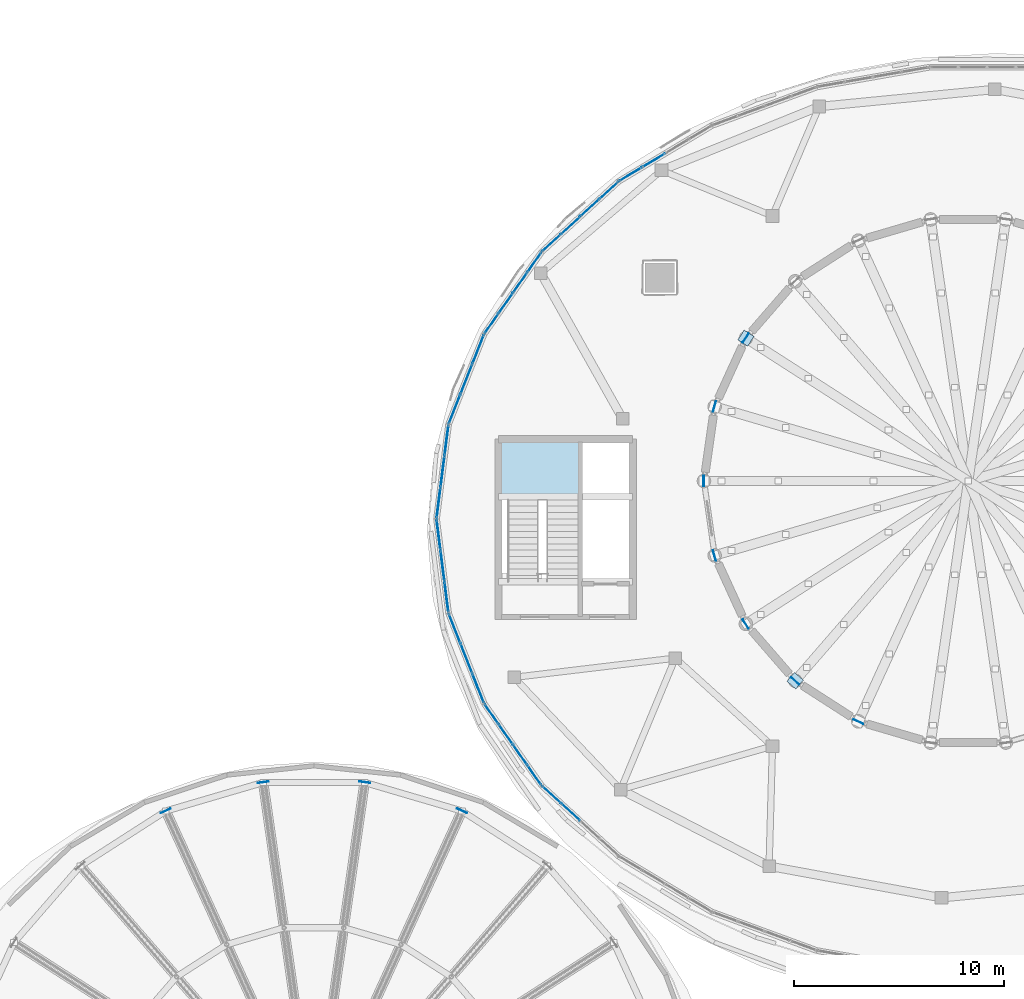
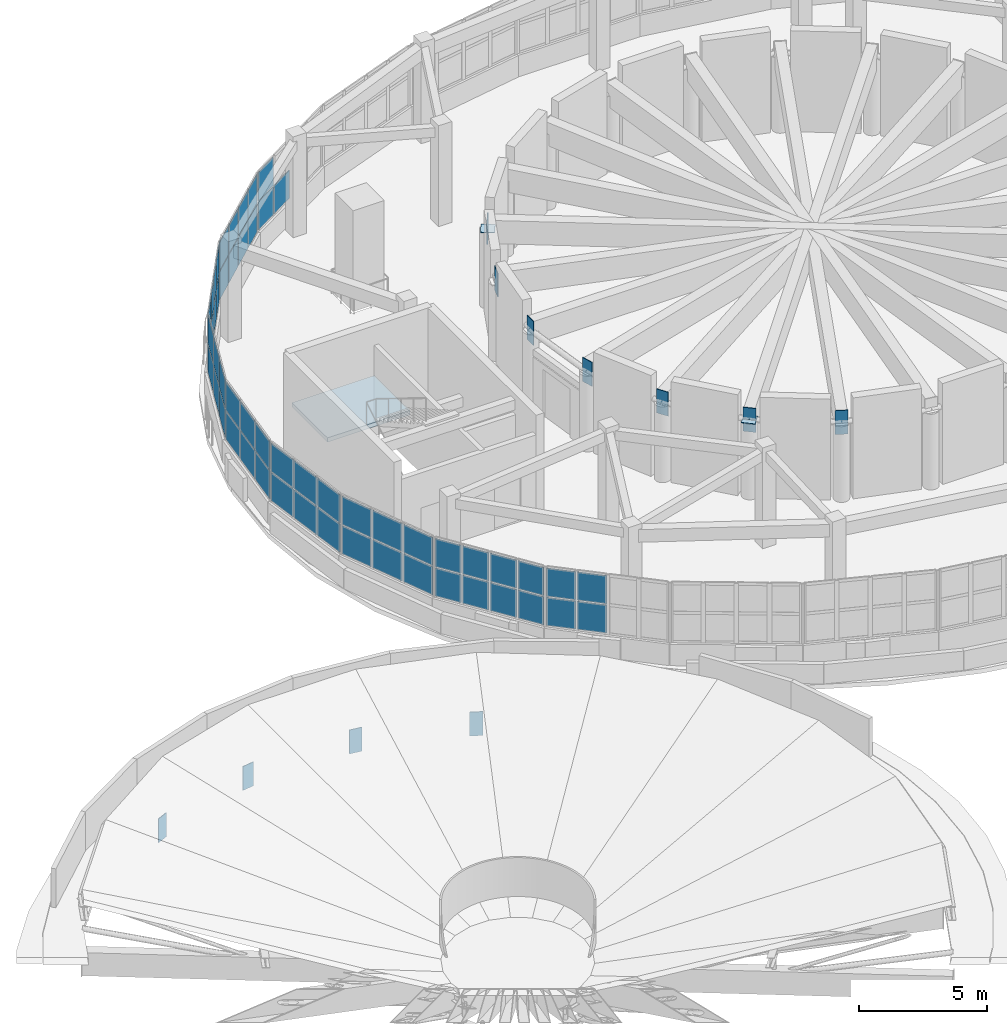
# One storey, part 45 of 69: 68 plates, 1 slab, 10 elements without a shape of their own.
"""IFC4 building model written with IfcOpenShell, lengths in metres."""

from ifc_helpers import new_model, si_unit, direction, frame, origin, origin_2d, place, context, subcontext, project, spatial, polyline, rectangle, outline, extrude, material, layer, layer_set, type_object, element, aggregate, save


model = new_model("IFC4")

# Units and contexts
model_context = context("Model", 3, precision=1e-05, world=origin(), true_north=direction((0.0, 1.0)))
body_context = subcontext(model_context, "Body", "Model", "MODEL_VIEW")
ifc_project = project(units=[si_unit("LENGTHUNIT", "METRE"), si_unit("AREAUNIT", "SQUARE_METRE"), si_unit("VOLUMEUNIT", "CUBIC_METRE"), si_unit("PLANEANGLEUNIT", "RADIAN"), si_unit("MASSUNIT", "GRAM", prefix="KILO")], contexts=[model_context])

# Site, building, storey
site_placement = place(None, origin())
site = spatial("IfcSite", under=ifc_project, at=site_placement, CompositionType="ELEMENT")
building_placement = place(site_placement, origin())
building = spatial("IfcBuilding", under=site, at=building_placement, Name="Pelvatis Terrace Science Centre", CompositionType="ELEMENT")
storey_placement = place(building_placement, frame((0.0, 0.0, 15.0)))
storey = spatial("IfcBuildingStorey", under=building, at=storey_placement, Name="L03", CompositionType="ELEMENT", Elevation=15.0)

# Curtain wall, plates
ifc_material_1 = material(Name="Bronze-anodised aluminium and laminated glass", Category="aluminium")
ifc_layer_1 = layer(ifc_material_1, 0.179931640625)
ifc_layer_set_1 = layer_set([ifc_layer_1], Name="Bronze-anodised aluminium and laminated glass")
curtain_wall_type = type_object("IfcCurtainWallType", Name="CW-RIBBON-A", PredefinedType="NOTDEFINED", material=ifc_layer_set_1)
curtain_wall_1_placement = place(storey_placement, origin())
curtain_wall_1 = element("IfcCurtainWall", 1, at=curtain_wall_1_placement, inside=storey, type_object=curtain_wall_type, Name="Ribbon curtain wall CW-193 (L03)", PredefinedType="NOTDEFINED")
ifc_material_2 = material(Name="Low-e laminated solar-control double glazing", Category="glass")
ifc_layer_2 = layer(ifc_material_2, 0.035888671875)
ifc_layer_set_2 = layer_set([ifc_layer_2], Name="Low-e laminated solar-control double glazing")
plate_type_1 = type_object("IfcPlateType", Name="CWP-IGU-36", PredefinedType="CURTAIN_PANEL", material=ifc_layer_set_2)
plate_1_placement = place(storey_placement, frame((94.2001953125, 101.086669921875, 1.080078125), z_axis=(0.0, 0.0, 1.0), x_axis=(-0.857792823096, -0.51399559594, 0.0)))
plate_1 = element("IfcPlate", 2, at=plate_1_placement, type_object=plate_type_1, Name="CW-193 panel 3.1", PredefinedType="CURTAIN_PANEL", context=body_context, shape_type="SweptSolid", body=[
    extrude(rectangle(XDim=1.23388671875, YDim=0.035888671875, at=origin_2d()), origin(), (0.0, 0.0, 1.0), 1.3349609375),
])
plate_2_placement = place(storey_placement, frame((93.10302734375, 100.429443359375, 1.080078125), z_axis=(0.0, 0.0, 1.0), x_axis=(-0.857792823096, -0.51399559594, 0.0)))
plate_2 = element("IfcPlate", 3, at=plate_2_placement, type_object=plate_type_1, Name="CW-193 panel 4.1", PredefinedType="CURTAIN_PANEL", context=body_context, shape_type="SweptSolid", body=[
    extrude(rectangle(XDim=1.203857421875, YDim=0.035888671875, at=origin_2d()), origin(), (0.0, 0.0, 1.0), 1.3349609375),
])
plate_3_placement = place(storey_placement, frame((93.10302734375, 100.429443359375, 2.47509765625), z_axis=(0.0, 0.0, 1.0), x_axis=(-0.857792823096, -0.51399559594, 0.0)))
plate_3 = element("IfcPlate", 4, at=plate_3_placement, type_object=plate_type_1, Name="CW-193 panel 4.2", PredefinedType="CURTAIN_PANEL", context=body_context, shape_type="SweptSolid", body=[
    extrude(rectangle(XDim=1.203857421875, YDim=0.035888671875, at=origin_2d()), origin(), (0.0, 0.0, 1.0), 1.3349609375),
])
aggregate(curtain_wall_1, [plate_1, plate_2, plate_3])

curtain_wall_2_placement = place(storey_placement, origin())
curtain_wall_2 = element("IfcCurtainWall", 5, at=curtain_wall_2_placement, inside=storey, type_object=curtain_wall_type, Name="Ribbon curtain wall CW-194 (L03)", PredefinedType="NOTDEFINED")
plate_4_placement = place(storey_placement, frame((92.065185546875, 99.658447265625, 1.080078125), z_axis=(0.0, 0.0, 1.0), x_axis=(-0.737404165127, -0.675451772708, 0.0)))
plate_4 = element("IfcPlate", 6, at=plate_4_placement, type_object=plate_type_1, Name="CW-194 panel 1.1", PredefinedType="CURTAIN_PANEL", context=body_context, shape_type="SweptSolid", body=[
    extrude(rectangle(XDim=1.155029296875, YDim=0.035888671875, at=origin_2d()), origin(), (0.0, 0.0, 1.0), 1.3349609375),
])
plate_5_placement = place(storey_placement, frame((92.065185546875, 99.658447265625, 2.47509765625), z_axis=(0.0, 0.0, 1.0), x_axis=(-0.737404165127, -0.675451772708, 0.0)))
plate_5 = element("IfcPlate", 7, at=plate_5_placement, type_object=plate_type_1, Name="CW-194 panel 1.2", PredefinedType="CURTAIN_PANEL", context=body_context, shape_type="SweptSolid", body=[
    extrude(rectangle(XDim=1.155029296875, YDim=0.035888671875, at=origin_2d()), origin(), (0.0, 0.0, 1.0), 1.3349609375),
])
plate_6_placement = place(storey_placement, frame((91.158203125, 98.827880859375, 1.080078125), z_axis=(0.0, 0.0, 1.0), x_axis=(-0.737404165127, -0.675451772708, 0.0)))
plate_6 = element("IfcPlate", 8, at=plate_6_placement, type_object=plate_type_1, Name="CW-194 panel 2.1", PredefinedType="CURTAIN_PANEL", context=body_context, shape_type="SweptSolid", body=[
    extrude(rectangle(XDim=1.184814453125, YDim=0.035888671875, at=origin_2d()), origin(), (0.0, 0.0, 1.0), 1.3349609375),
])
plate_7_placement = place(storey_placement, frame((91.158203125, 98.827880859375, 2.47509765625), z_axis=(0.0, 0.0, 1.0), x_axis=(-0.737404165127, -0.675451772708, 0.0)))
plate_7 = element("IfcPlate", 9, at=plate_7_placement, type_object=plate_type_1, Name="CW-194 panel 2.2", PredefinedType="CURTAIN_PANEL", context=body_context, shape_type="SweptSolid", body=[
    extrude(rectangle(XDim=1.184814453125, YDim=0.035888671875, at=origin_2d()), origin(), (0.0, 0.0, 1.0), 1.3349609375),
])
plate_8_placement = place(storey_placement, frame((90.240234375, 97.98681640625, 1.080078125), z_axis=(0.0, 0.0, 1.0), x_axis=(-0.737404165127, -0.675451772708, 0.0)))
plate_8 = element("IfcPlate", 10, at=plate_8_placement, type_object=plate_type_1, Name="CW-194 panel 3.1", PredefinedType="CURTAIN_PANEL", context=body_context, shape_type="SweptSolid", body=[
    extrude(rectangle(XDim=1.184814453125, YDim=0.035888671875, at=origin_2d()), origin(), (0.0, 0.0, 1.0), 1.3349609375),
])
plate_9_placement = place(storey_placement, frame((90.240234375, 97.98681640625, 2.47509765625), z_axis=(0.0, 0.0, 1.0), x_axis=(-0.737404165127, -0.675451772708, 0.0)))
plate_9 = element("IfcPlate", 11, at=plate_9_placement, type_object=plate_type_1, Name="CW-194 panel 3.2", PredefinedType="CURTAIN_PANEL", context=body_context, shape_type="SweptSolid", body=[
    extrude(rectangle(XDim=1.184814453125, YDim=0.035888671875, at=origin_2d()), origin(), (0.0, 0.0, 1.0), 1.3349609375),
])
plate_10_placement = place(storey_placement, frame((89.333251953125, 97.15625, 1.080078125), z_axis=(0.0, 0.0, 1.0), x_axis=(-0.737404165127, -0.675451772708, 0.0)))
plate_10 = element("IfcPlate", 12, at=plate_10_placement, type_object=plate_type_1, Name="CW-194 panel 4.1", PredefinedType="CURTAIN_PANEL", context=body_context, shape_type="SweptSolid", body=[
    extrude(rectangle(XDim=1.155029296875, YDim=0.035888671875, at=origin_2d()), origin(), (0.0, 0.0, 1.0), 1.3349609375),
])
plate_11_placement = place(storey_placement, frame((89.333251953125, 97.15625, 2.47509765625), z_axis=(0.0, 0.0, 1.0), x_axis=(-0.737404165127, -0.675451772708, 0.0)))
plate_11 = element("IfcPlate", 13, at=plate_11_placement, type_object=plate_type_1, Name="CW-194 panel 4.2", PredefinedType="CURTAIN_PANEL", context=body_context, shape_type="SweptSolid", body=[
    extrude(rectangle(XDim=1.155029296875, YDim=0.035888671875, at=origin_2d()), origin(), (0.0, 0.0, 1.0), 1.3349609375),
])
aggregate(curtain_wall_2, [plate_4, plate_5, plate_6, plate_7, plate_8, plate_9, plate_10, plate_11])

curtain_wall_3_placement = place(storey_placement, origin())
curtain_wall_3 = element("IfcCurtainWall", 14, at=curtain_wall_3_placement, inside=storey, type_object=curtain_wall_type, Name="Ribbon curtain wall CW-195 (L03)", PredefinedType="NOTDEFINED")
plate_12_placement = place(storey_placement, frame((88.51171875, 96.223388671875, 1.080078125), z_axis=(0.0, 0.0, 1.0), x_axis=(-0.573467955021, -0.81922799303, 0.0)))
plate_12 = element("IfcPlate", 15, at=plate_12_placement, type_object=plate_type_1, Name="CW-195 panel 1.1", PredefinedType="CURTAIN_PANEL", context=body_context, shape_type="SweptSolid", body=[
    extrude(rectangle(XDim=1.106201171875, YDim=0.035888671875, at=origin_2d()), origin(), (0.0, 0.0, 1.0), 1.3349609375),
])
plate_13_placement = place(storey_placement, frame((88.51171875, 96.223388671875, 2.47509765625), z_axis=(0.0, 0.0, 1.0), x_axis=(-0.573467955021, -0.81922799303, 0.0)))
plate_13 = element("IfcPlate", 16, at=plate_13_placement, type_object=plate_type_1, Name="CW-195 panel 1.2", PredefinedType="CURTAIN_PANEL", context=body_context, shape_type="SweptSolid", body=[
    extrude(rectangle(XDim=1.106201171875, YDim=0.035888671875, at=origin_2d()), origin(), (0.0, 0.0, 1.0), 1.3349609375),
])
plate_14_placement = place(storey_placement, frame((87.834228515625, 95.255615234375, 1.080078125), z_axis=(0.0, 0.0, 1.0), x_axis=(-0.573467955021, -0.81922799303, 0.0)))
plate_14 = element("IfcPlate", 17, at=plate_14_placement, type_object=plate_type_1, Name="CW-195 panel 2.1", PredefinedType="CURTAIN_PANEL", context=body_context, shape_type="SweptSolid", body=[
    extrude(rectangle(XDim=1.13623046875, YDim=0.035888671875, at=origin_2d()), origin(), (0.0, 0.0, 1.0), 1.3349609375),
])
plate_15_placement = place(storey_placement, frame((87.834228515625, 95.255615234375, 2.47509765625), z_axis=(0.0, 0.0, 1.0), x_axis=(-0.573467955021, -0.81922799303, 0.0)))
plate_15 = element("IfcPlate", 18, at=plate_15_placement, type_object=plate_type_1, Name="CW-195 panel 2.2", PredefinedType="CURTAIN_PANEL", context=body_context, shape_type="SweptSolid", body=[
    extrude(rectangle(XDim=1.13623046875, YDim=0.035888671875, at=origin_2d()), origin(), (0.0, 0.0, 1.0), 1.3349609375),
])
plate_16_placement = place(storey_placement, frame((87.1484375, 94.275634765625, 1.080078125), z_axis=(0.0, 0.0, 1.0), x_axis=(-0.573467955021, -0.81922799303, 0.0)))
plate_16 = element("IfcPlate", 19, at=plate_16_placement, type_object=plate_type_1, Name="CW-195 panel 3.1", PredefinedType="CURTAIN_PANEL", context=body_context, shape_type="SweptSolid", body=[
    extrude(rectangle(XDim=1.13623046875, YDim=0.035888671875, at=origin_2d()), origin(), (0.0, 0.0, 1.0), 1.3349609375),
])
plate_17_placement = place(storey_placement, frame((87.1484375, 94.275634765625, 2.47509765625), z_axis=(0.0, 0.0, 1.0), x_axis=(-0.573467955021, -0.81922799303, 0.0)))
plate_17 = element("IfcPlate", 20, at=plate_17_placement, type_object=plate_type_1, Name="CW-195 panel 3.2", PredefinedType="CURTAIN_PANEL", context=body_context, shape_type="SweptSolid", body=[
    extrude(rectangle(XDim=1.13623046875, YDim=0.035888671875, at=origin_2d()), origin(), (0.0, 0.0, 1.0), 1.3349609375),
])
plate_18_placement = place(storey_placement, frame((86.470947265625, 93.30810546875, 1.080078125), z_axis=(0.0, 0.0, 1.0), x_axis=(-0.573467955021, -0.81922799303, 0.0)))
plate_18 = element("IfcPlate", 21, at=plate_18_placement, type_object=plate_type_1, Name="CW-195 panel 4.1", PredefinedType="CURTAIN_PANEL", context=body_context, shape_type="SweptSolid", body=[
    extrude(rectangle(XDim=1.106201171875, YDim=0.035888671875, at=origin_2d()), origin(), (0.0, 0.0, 1.0), 1.3349609375),
])
plate_19_placement = place(storey_placement, frame((86.470947265625, 93.30810546875, 2.47509765625), z_axis=(0.0, 0.0, 1.0), x_axis=(-0.573467955021, -0.81922799303, 0.0)))
plate_19 = element("IfcPlate", 22, at=plate_19_placement, type_object=plate_type_1, Name="CW-195 panel 4.2", PredefinedType="CURTAIN_PANEL", context=body_context, shape_type="SweptSolid", body=[
    extrude(rectangle(XDim=1.106201171875, YDim=0.035888671875, at=origin_2d()), origin(), (0.0, 0.0, 1.0), 1.3349609375),
])
aggregate(curtain_wall_3, [plate_12, plate_13, plate_14, plate_15, plate_16, plate_17, plate_18, plate_19])

curtain_wall_4_placement = place(storey_placement, origin())
curtain_wall_4 = element("IfcCurtainWall", 23, at=curtain_wall_4_placement, inside=storey, type_object=curtain_wall_type, Name="Ribbon curtain wall CW-196 (L03)", PredefinedType="NOTDEFINED")
plate_20_placement = place(storey_placement, frame((85.831298828125, 92.074462890625, 1.080078125), z_axis=(0.0, 0.0, 1.0), x_axis=(-0.366540961248, -0.930401915157, 0.0)))
plate_20 = element("IfcPlate", 24, at=plate_20_placement, type_object=plate_type_1, Name="CW-196 panel 1.1", PredefinedType="CURTAIN_PANEL", context=body_context, shape_type="SweptSolid", body=[
    extrude(rectangle(XDim=1.4521484375, YDim=0.035888671875, at=origin_2d()), origin(), (0.0, 0.0, 1.0), 1.3349609375),
])
plate_21_placement = place(storey_placement, frame((85.831298828125, 92.074462890625, 2.47509765625), z_axis=(0.0, 0.0, 1.0), x_axis=(-0.366540961248, -0.930401915157, 0.0)))
plate_21 = element("IfcPlate", 25, at=plate_21_placement, type_object=plate_type_1, Name="CW-196 panel 1.2", PredefinedType="CURTAIN_PANEL", context=body_context, shape_type="SweptSolid", body=[
    extrude(rectangle(XDim=1.4521484375, YDim=0.035888671875, at=origin_2d()), origin(), (0.0, 0.0, 1.0), 1.3349609375),
])
plate_22_placement = place(storey_placement, frame((85.271484375, 90.653564453125, 1.080078125), z_axis=(0.0, 0.0, 1.0), x_axis=(-0.366540961248, -0.930401915157, 0.0)))
plate_22 = element("IfcPlate", 26, at=plate_22_placement, type_object=plate_type_1, Name="CW-196 panel 2.1", PredefinedType="CURTAIN_PANEL", context=body_context, shape_type="SweptSolid", body=[
    extrude(rectangle(XDim=1.482177734375, YDim=0.035888671875, at=origin_2d()), origin(), (0.0, 0.0, 1.0), 1.3349609375),
])
plate_23_placement = place(storey_placement, frame((85.271484375, 90.653564453125, 2.47509765625), z_axis=(0.0, 0.0, 1.0), x_axis=(-0.366540961248, -0.930401915157, 0.0)))
plate_23 = element("IfcPlate", 27, at=plate_23_placement, type_object=plate_type_1, Name="CW-196 panel 2.2", PredefinedType="CURTAIN_PANEL", context=body_context, shape_type="SweptSolid", body=[
    extrude(rectangle(XDim=1.482177734375, YDim=0.035888671875, at=origin_2d()), origin(), (0.0, 0.0, 1.0), 1.3349609375),
])
plate_24_placement = place(storey_placement, frame((84.711669921875, 89.232666015625, 1.080078125), z_axis=(0.0, 0.0, 1.0), x_axis=(-0.366540961248, -0.930401915157, 0.0)))
plate_24 = element("IfcPlate", 28, at=plate_24_placement, type_object=plate_type_1, Name="CW-196 panel 3.1", PredefinedType="CURTAIN_PANEL", context=body_context, shape_type="SweptSolid", body=[
    extrude(rectangle(XDim=1.4521484375, YDim=0.035888671875, at=origin_2d()), origin(), (0.0, 0.0, 1.0), 1.3349609375),
])
plate_25_placement = place(storey_placement, frame((84.711669921875, 89.232666015625, 2.47509765625), z_axis=(0.0, 0.0, 1.0), x_axis=(-0.366540961248, -0.930401915157, 0.0)))
plate_25 = element("IfcPlate", 29, at=plate_25_placement, type_object=plate_type_1, Name="CW-196 panel 3.2", PredefinedType="CURTAIN_PANEL", context=body_context, shape_type="SweptSolid", body=[
    extrude(rectangle(XDim=1.4521484375, YDim=0.035888671875, at=origin_2d()), origin(), (0.0, 0.0, 1.0), 1.3349609375),
])
aggregate(curtain_wall_4, [plate_20, plate_21, plate_22, plate_23, plate_24, plate_25])

curtain_wall_5_placement = place(storey_placement, origin())
curtain_wall_5 = element("IfcCurtainWall", 30, at=curtain_wall_5_placement, inside=storey, type_object=curtain_wall_type, Name="Ribbon curtain wall CW-197 (L03)", PredefinedType="NOTDEFINED")
plate_26_placement = place(storey_placement, frame((84.326171875, 87.736083984375, 1.080078125), z_axis=(0.0, 0.0, 1.0), x_axis=(-0.126407659563, -0.991978378597, 0.0)))
plate_26 = element("IfcPlate", 31, at=plate_26_placement, type_object=plate_type_1, Name="CW-197 panel 1.1", PredefinedType="CURTAIN_PANEL", context=body_context, shape_type="SweptSolid", body=[
    extrude(rectangle(XDim=1.422607421875, YDim=0.035888671875, at=origin_2d()), origin(), (0.0, 0.0, 1.0), 1.3349609375),
])
plate_27_placement = place(storey_placement, frame((84.326171875, 87.736083984375, 2.47509765625), z_axis=(0.0, 0.0, 1.0), x_axis=(-0.126407659563, -0.991978378597, 0.0)))
plate_27 = element("IfcPlate", 32, at=plate_27_placement, type_object=plate_type_1, Name="CW-197 panel 1.2", PredefinedType="CURTAIN_PANEL", context=body_context, shape_type="SweptSolid", body=[
    extrude(rectangle(XDim=1.422607421875, YDim=0.035888671875, at=origin_2d()), origin(), (0.0, 0.0, 1.0), 1.3349609375),
])
plate_28_placement = place(storey_placement, frame((84.13671875, 86.250732421875, 1.080078125), z_axis=(0.0, 0.0, 1.0), x_axis=(-0.126407659563, -0.991978378597, 0.0)))
plate_28 = element("IfcPlate", 33, at=plate_28_placement, type_object=plate_type_1, Name="CW-197 panel 2.1", PredefinedType="CURTAIN_PANEL", context=body_context, shape_type="SweptSolid", body=[
    extrude(rectangle(XDim=1.45263671875, YDim=0.035888671875, at=origin_2d()), origin(), (0.0, 0.0, 1.0), 1.3349609375),
])
plate_29_placement = place(storey_placement, frame((84.13671875, 86.250732421875, 2.47509765625), z_axis=(0.0, 0.0, 1.0), x_axis=(-0.126407659563, -0.991978378597, 0.0)))
plate_29 = element("IfcPlate", 34, at=plate_29_placement, type_object=plate_type_1, Name="CW-197 panel 2.2", PredefinedType="CURTAIN_PANEL", context=body_context, shape_type="SweptSolid", body=[
    extrude(rectangle(XDim=1.45263671875, YDim=0.035888671875, at=origin_2d()), origin(), (0.0, 0.0, 1.0), 1.3349609375),
])
plate_30_placement = place(storey_placement, frame((83.947509765625, 84.76513671875, 1.080078125), z_axis=(0.0, 0.0, 1.0), x_axis=(-0.126407659563, -0.991978378597, 0.0)))
plate_30 = element("IfcPlate", 35, at=plate_30_placement, type_object=plate_type_1, Name="CW-197 panel 3.1", PredefinedType="CURTAIN_PANEL", context=body_context, shape_type="SweptSolid", body=[
    extrude(rectangle(XDim=1.422607421875, YDim=0.035888671875, at=origin_2d()), origin(), (0.0, 0.0, 1.0), 1.3349609375),
])
plate_31_placement = place(storey_placement, frame((83.947509765625, 84.76513671875, 2.47509765625), z_axis=(0.0, 0.0, 1.0), x_axis=(-0.126407659563, -0.991978378597, 0.0)))
plate_31 = element("IfcPlate", 36, at=plate_31_placement, type_object=plate_type_1, Name="CW-197 panel 3.2", PredefinedType="CURTAIN_PANEL", context=body_context, shape_type="SweptSolid", body=[
    extrude(rectangle(XDim=1.422607421875, YDim=0.035888671875, at=origin_2d()), origin(), (0.0, 0.0, 1.0), 1.3349609375),
])
aggregate(curtain_wall_5, [plate_26, plate_27, plate_28, plate_29, plate_30, plate_31])

curtain_wall_6_placement = place(storey_placement, origin())
curtain_wall_6 = element("IfcCurtainWall", 37, at=curtain_wall_6_placement, inside=storey, type_object=curtain_wall_type, Name="Ribbon curtain wall CW-198 (L03)", PredefinedType="NOTDEFINED")
plate_32_placement = place(storey_placement, frame((83.947509765625, 83.23486328125, 1.080078125), z_axis=(0.0, 0.0, 1.0), x_axis=(0.126407659563, -0.991978378597, 0.0)))
plate_32 = element("IfcPlate", 38, at=plate_32_placement, type_object=plate_type_1, Name="CW-198 panel 1.1", PredefinedType="CURTAIN_PANEL", context=body_context, shape_type="SweptSolid", body=[
    extrude(rectangle(XDim=1.422607421875, YDim=0.035888671875, at=origin_2d()), origin(), (0.0, 0.0, 1.0), 1.3349609375),
])
plate_33_placement = place(storey_placement, frame((83.947509765625, 83.23486328125, 2.47509765625), z_axis=(0.0, 0.0, 1.0), x_axis=(0.126407659563, -0.991978378597, 0.0)))
plate_33 = element("IfcPlate", 39, at=plate_33_placement, type_object=plate_type_1, Name="CW-198 panel 1.2", PredefinedType="CURTAIN_PANEL", context=body_context, shape_type="SweptSolid", body=[
    extrude(rectangle(XDim=1.422607421875, YDim=0.035888671875, at=origin_2d()), origin(), (0.0, 0.0, 1.0), 1.3349609375),
])
plate_34_placement = place(storey_placement, frame((84.13671875, 81.749267578125, 1.080078125), z_axis=(0.0, 0.0, 1.0), x_axis=(0.126407659563, -0.991978378597, 0.0)))
plate_34 = element("IfcPlate", 40, at=plate_34_placement, type_object=plate_type_1, Name="CW-198 panel 2.1", PredefinedType="CURTAIN_PANEL", context=body_context, shape_type="SweptSolid", body=[
    extrude(rectangle(XDim=1.45263671875, YDim=0.035888671875, at=origin_2d()), origin(), (0.0, 0.0, 1.0), 1.3349609375),
])
plate_35_placement = place(storey_placement, frame((84.13671875, 81.749267578125, 2.47509765625), z_axis=(0.0, 0.0, 1.0), x_axis=(0.126407659563, -0.991978378597, 0.0)))
plate_35 = element("IfcPlate", 41, at=plate_35_placement, type_object=plate_type_1, Name="CW-198 panel 2.2", PredefinedType="CURTAIN_PANEL", context=body_context, shape_type="SweptSolid", body=[
    extrude(rectangle(XDim=1.45263671875, YDim=0.035888671875, at=origin_2d()), origin(), (0.0, 0.0, 1.0), 1.3349609375),
])
plate_36_placement = place(storey_placement, frame((84.326171875, 80.263916015625, 1.080078125), z_axis=(0.0, 0.0, 1.0), x_axis=(0.126407659563, -0.991978378597, 0.0)))
plate_36 = element("IfcPlate", 42, at=plate_36_placement, type_object=plate_type_1, Name="CW-198 panel 3.1", PredefinedType="CURTAIN_PANEL", context=body_context, shape_type="SweptSolid", body=[
    extrude(rectangle(XDim=1.422607421875, YDim=0.035888671875, at=origin_2d()), origin(), (0.0, 0.0, 1.0), 1.3349609375),
])
plate_37_placement = place(storey_placement, frame((84.326171875, 80.263916015625, 2.47509765625), z_axis=(0.0, 0.0, 1.0), x_axis=(0.126407659563, -0.991978378597, 0.0)))
plate_37 = element("IfcPlate", 43, at=plate_37_placement, type_object=plate_type_1, Name="CW-198 panel 3.2", PredefinedType="CURTAIN_PANEL", context=body_context, shape_type="SweptSolid", body=[
    extrude(rectangle(XDim=1.422607421875, YDim=0.035888671875, at=origin_2d()), origin(), (0.0, 0.0, 1.0), 1.3349609375),
])
aggregate(curtain_wall_6, [plate_32, plate_33, plate_34, plate_35, plate_36, plate_37])

curtain_wall_7_placement = place(storey_placement, origin())
curtain_wall_7 = element("IfcCurtainWall", 44, at=curtain_wall_7_placement, inside=storey, type_object=curtain_wall_type, Name="Ribbon curtain wall CW-199 (L03)", PredefinedType="NOTDEFINED")
plate_38_placement = place(storey_placement, frame((84.711669921875, 78.767333984375, 1.080078125), z_axis=(0.0, 0.0, 1.0), x_axis=(0.366540961248, -0.930401915157, 0.0)))
plate_38 = element("IfcPlate", 45, at=plate_38_placement, type_object=plate_type_1, Name="CW-199 panel 1.1", PredefinedType="CURTAIN_PANEL", context=body_context, shape_type="SweptSolid", body=[
    extrude(rectangle(XDim=1.4521484375, YDim=0.035888671875, at=origin_2d()), origin(), (0.0, 0.0, 1.0), 1.3349609375),
])
plate_39_placement = place(storey_placement, frame((84.711669921875, 78.767333984375, 2.47509765625), z_axis=(0.0, 0.0, 1.0), x_axis=(0.366540961248, -0.930401915157, 0.0)))
plate_39 = element("IfcPlate", 46, at=plate_39_placement, type_object=plate_type_1, Name="CW-199 panel 1.2", PredefinedType="CURTAIN_PANEL", context=body_context, shape_type="SweptSolid", body=[
    extrude(rectangle(XDim=1.4521484375, YDim=0.035888671875, at=origin_2d()), origin(), (0.0, 0.0, 1.0), 1.3349609375),
])
plate_40_placement = place(storey_placement, frame((85.271484375, 77.346435546875, 1.080078125), z_axis=(0.0, 0.0, 1.0), x_axis=(0.366540961248, -0.930401915157, 0.0)))
plate_40 = element("IfcPlate", 47, at=plate_40_placement, type_object=plate_type_1, Name="CW-199 panel 2.1", PredefinedType="CURTAIN_PANEL", context=body_context, shape_type="SweptSolid", body=[
    extrude(rectangle(XDim=1.482177734375, YDim=0.035888671875, at=origin_2d()), origin(), (0.0, 0.0, 1.0), 1.3349609375),
])
plate_41_placement = place(storey_placement, frame((85.271484375, 77.346435546875, 2.47509765625), z_axis=(0.0, 0.0, 1.0), x_axis=(0.366540961248, -0.930401915157, 0.0)))
plate_41 = element("IfcPlate", 48, at=plate_41_placement, type_object=plate_type_1, Name="CW-199 panel 2.2", PredefinedType="CURTAIN_PANEL", context=body_context, shape_type="SweptSolid", body=[
    extrude(rectangle(XDim=1.482177734375, YDim=0.035888671875, at=origin_2d()), origin(), (0.0, 0.0, 1.0), 1.3349609375),
])
plate_42_placement = place(storey_placement, frame((85.831298828125, 75.925537109375, 1.080078125), z_axis=(0.0, 0.0, 1.0), x_axis=(0.366540961248, -0.930401915157, 0.0)))
plate_42 = element("IfcPlate", 49, at=plate_42_placement, type_object=plate_type_1, Name="CW-199 panel 3.1", PredefinedType="CURTAIN_PANEL", context=body_context, shape_type="SweptSolid", body=[
    extrude(rectangle(XDim=1.4521484375, YDim=0.035888671875, at=origin_2d()), origin(), (0.0, 0.0, 1.0), 1.3349609375),
])
plate_43_placement = place(storey_placement, frame((85.831298828125, 75.925537109375, 2.47509765625), z_axis=(0.0, 0.0, 1.0), x_axis=(0.366540961248, -0.930401915157, 0.0)))
plate_43 = element("IfcPlate", 50, at=plate_43_placement, type_object=plate_type_1, Name="CW-199 panel 3.2", PredefinedType="CURTAIN_PANEL", context=body_context, shape_type="SweptSolid", body=[
    extrude(rectangle(XDim=1.4521484375, YDim=0.035888671875, at=origin_2d()), origin(), (0.0, 0.0, 1.0), 1.3349609375),
])
aggregate(curtain_wall_7, [plate_38, plate_39, plate_40, plate_41, plate_42, plate_43])

curtain_wall_8_placement = place(storey_placement, origin())
curtain_wall_8 = element("IfcCurtainWall", 51, at=curtain_wall_8_placement, inside=storey, type_object=curtain_wall_type, Name="Ribbon curtain wall CW-200 (L03)", PredefinedType="NOTDEFINED")
plate_44_placement = place(storey_placement, frame((86.470947265625, 74.69189453125, 1.080078125), z_axis=(0.0, 0.0, 1.0), x_axis=(0.573467955021, -0.81922799303, 0.0)))
plate_44 = element("IfcPlate", 52, at=plate_44_placement, type_object=plate_type_1, Name="CW-200 panel 1.1", PredefinedType="CURTAIN_PANEL", context=body_context, shape_type="SweptSolid", body=[
    extrude(rectangle(XDim=1.106201171875, YDim=0.035888671875, at=origin_2d()), origin(), (0.0, 0.0, 1.0), 1.3349609375),
])
plate_45_placement = place(storey_placement, frame((86.470947265625, 74.69189453125, 2.47509765625), z_axis=(0.0, 0.0, 1.0), x_axis=(0.573467955021, -0.81922799303, 0.0)))
plate_45 = element("IfcPlate", 53, at=plate_45_placement, type_object=plate_type_1, Name="CW-200 panel 1.2", PredefinedType="CURTAIN_PANEL", context=body_context, shape_type="SweptSolid", body=[
    extrude(rectangle(XDim=1.106201171875, YDim=0.035888671875, at=origin_2d()), origin(), (0.0, 0.0, 1.0), 1.3349609375),
])
plate_46_placement = place(storey_placement, frame((87.1484375, 73.724365234375, 1.080078125), z_axis=(0.0, 0.0, 1.0), x_axis=(0.573467955021, -0.81922799303, 0.0)))
plate_46 = element("IfcPlate", 54, at=plate_46_placement, type_object=plate_type_1, Name="CW-200 panel 2.1", PredefinedType="CURTAIN_PANEL", context=body_context, shape_type="SweptSolid", body=[
    extrude(rectangle(XDim=1.13623046875, YDim=0.035888671875, at=origin_2d()), origin(), (0.0, 0.0, 1.0), 1.3349609375),
])
plate_47_placement = place(storey_placement, frame((87.1484375, 73.724365234375, 2.47509765625), z_axis=(0.0, 0.0, 1.0), x_axis=(0.573467955021, -0.81922799303, 0.0)))
plate_47 = element("IfcPlate", 55, at=plate_47_placement, type_object=plate_type_1, Name="CW-200 panel 2.2", PredefinedType="CURTAIN_PANEL", context=body_context, shape_type="SweptSolid", body=[
    extrude(rectangle(XDim=1.13623046875, YDim=0.035888671875, at=origin_2d()), origin(), (0.0, 0.0, 1.0), 1.3349609375),
])
plate_48_placement = place(storey_placement, frame((87.834228515625, 72.744384765625, 1.080078125), z_axis=(0.0, 0.0, 1.0), x_axis=(0.573467955021, -0.81922799303, 0.0)))
plate_48 = element("IfcPlate", 56, at=plate_48_placement, type_object=plate_type_1, Name="CW-200 panel 3.1", PredefinedType="CURTAIN_PANEL", context=body_context, shape_type="SweptSolid", body=[
    extrude(rectangle(XDim=1.13623046875, YDim=0.035888671875, at=origin_2d()), origin(), (0.0, 0.0, 1.0), 1.3349609375),
])
plate_49_placement = place(storey_placement, frame((87.834228515625, 72.744384765625, 2.47509765625), z_axis=(0.0, 0.0, 1.0), x_axis=(0.573467955021, -0.81922799303, 0.0)))
plate_49 = element("IfcPlate", 57, at=plate_49_placement, type_object=plate_type_1, Name="CW-200 panel 3.2", PredefinedType="CURTAIN_PANEL", context=body_context, shape_type="SweptSolid", body=[
    extrude(rectangle(XDim=1.13623046875, YDim=0.035888671875, at=origin_2d()), origin(), (0.0, 0.0, 1.0), 1.3349609375),
])
plate_50_placement = place(storey_placement, frame((88.51171875, 71.776611328125, 1.080078125), z_axis=(0.0, 0.0, 1.0), x_axis=(0.573467955021, -0.81922799303, 0.0)))
plate_50 = element("IfcPlate", 58, at=plate_50_placement, type_object=plate_type_1, Name="CW-200 panel 4.1", PredefinedType="CURTAIN_PANEL", context=body_context, shape_type="SweptSolid", body=[
    extrude(rectangle(XDim=1.106201171875, YDim=0.035888671875, at=origin_2d()), origin(), (0.0, 0.0, 1.0), 1.3349609375),
])
plate_51_placement = place(storey_placement, frame((88.51171875, 71.776611328125, 2.47509765625), z_axis=(0.0, 0.0, 1.0), x_axis=(0.573467955021, -0.81922799303, 0.0)))
plate_51 = element("IfcPlate", 59, at=plate_51_placement, type_object=plate_type_1, Name="CW-200 panel 4.2", PredefinedType="CURTAIN_PANEL", context=body_context, shape_type="SweptSolid", body=[
    extrude(rectangle(XDim=1.106201171875, YDim=0.035888671875, at=origin_2d()), origin(), (0.0, 0.0, 1.0), 1.3349609375),
])
aggregate(curtain_wall_8, [plate_44, plate_45, plate_46, plate_47, plate_48, plate_49, plate_50, plate_51])

curtain_wall_9_placement = place(storey_placement, origin())
curtain_wall_9 = element("IfcCurtainWall", 60, at=curtain_wall_9_placement, inside=storey, type_object=curtain_wall_type, Name="Ribbon curtain wall CW-201 (L03)", PredefinedType="NOTDEFINED")
plate_52_placement = place(storey_placement, frame((89.333251953125, 70.84375, 1.080078125), z_axis=(0.0, 0.0, 1.0), x_axis=(0.737404165127, -0.675451772708, 0.0)))
plate_52 = element("IfcPlate", 61, at=plate_52_placement, type_object=plate_type_1, Name="CW-201 panel 1.1", PredefinedType="CURTAIN_PANEL", context=body_context, shape_type="SweptSolid", body=[
    extrude(rectangle(XDim=1.155029296875, YDim=0.035888671875, at=origin_2d()), origin(), (0.0, 0.0, 1.0), 1.3349609375),
])
plate_53_placement = place(storey_placement, frame((89.333251953125, 70.84375, 2.47509765625), z_axis=(0.0, 0.0, 1.0), x_axis=(0.737404165127, -0.675451772708, 0.0)))
plate_53 = element("IfcPlate", 62, at=plate_53_placement, type_object=plate_type_1, Name="CW-201 panel 1.2", PredefinedType="CURTAIN_PANEL", context=body_context, shape_type="SweptSolid", body=[
    extrude(rectangle(XDim=1.155029296875, YDim=0.035888671875, at=origin_2d()), origin(), (0.0, 0.0, 1.0), 1.3349609375),
])
plate_54_placement = place(storey_placement, frame((90.240234375, 70.01318359375, 1.080078125), z_axis=(0.0, 0.0, 1.0), x_axis=(0.737404165127, -0.675451772708, 0.0)))
plate_54 = element("IfcPlate", 63, at=plate_54_placement, type_object=plate_type_1, Name="CW-201 panel 2.1", PredefinedType="CURTAIN_PANEL", context=body_context, shape_type="SweptSolid", body=[
    extrude(rectangle(XDim=1.184814453125, YDim=0.035888671875, at=origin_2d()), origin(), (0.0, 0.0, 1.0), 1.3349609375),
])
plate_55_placement = place(storey_placement, frame((90.240234375, 70.01318359375, 2.47509765625), z_axis=(0.0, 0.0, 1.0), x_axis=(0.737404165127, -0.675451772708, 0.0)))
plate_55 = element("IfcPlate", 64, at=plate_55_placement, type_object=plate_type_1, Name="CW-201 panel 2.2", PredefinedType="CURTAIN_PANEL", context=body_context, shape_type="SweptSolid", body=[
    extrude(rectangle(XDim=1.184814453125, YDim=0.035888671875, at=origin_2d()), origin(), (0.0, 0.0, 1.0), 1.3349609375),
])
aggregate(curtain_wall_9, [plate_52, plate_53, plate_54, plate_55])

# Plates
ifc_material_3 = material(Name="Structural steel S355", Category="steel")
ifc_layer_3 = layer(ifc_material_3, 0.030029296875)
ifc_layer_set_3 = layer_set([ifc_layer_3], Name="Structural steel S355")
plate_type_2 = type_object("IfcPlateType", Name="PLT-CAP-560x560x30", PredefinedType="USERDEFINED", material=ifc_layer_set_3)
for number, where, z_axis, x_axis, name in (
    (65, (98.60009765625, 92.612060546875, 3.5849609375), (0.0, 0.0, 1.0), (-0.841227797435, 0.540680860418, 0.0), "Dome bearing cap plate 10"),
    (66, (100.94873046875, 76.277587890625, 3.5849609375), (0.0, 0.0, 1.0), (-0.654872725061, -0.755739183826, 0.0), "Dome bearing cap plate 15"),
):
    element("IfcPlate", number, at=place(storey_placement, frame(where, z_axis=z_axis, x_axis=x_axis)), inside=storey, type_object=plate_type_2, Name=name, ObjectType="CAP PLATE", PredefinedType="USERDEFINED", context=body_context, shape_type="SweptSolid", body=[
        extrude(rectangle(XDim=0.56005859375, YDim=0.56005859375, at=origin_2d()), origin(), (0.0, 0.0, 1.0), 0.030029296875),
    ])
ifc_material_4 = material(Name="Structural steel S355", Category="steel")
ifc_layer_4 = layer(ifc_material_4, 1.139892578125)
ifc_layer_set_4 = layer_set([ifc_layer_4], Name="Structural steel S355")
plate_type_3 = type_object("IfcPlateType", Name="PLT-CAP-BOX1100", PredefinedType="USERDEFINED", material=ifc_layer_set_4)
for number, where, z_axis, x_axis, name in (
    (67, (96.587890625, 85.800048828125, 3.0302734375), (0.0, 0.0, 1.0), (-1.0, 0.0, 0.0), "Hollow box girder end cap plate 016"),
    (68, (97.098876953125, 82.246826171875, 3.0302734375), (0.0, 0.0, 1.0), (-0.959510852267, -0.281671660596, 0.0), "Hollow box girder end cap plate 018"),
    (69, (98.590087890625, 78.9814453125, 3.0302734375), (0.0, 0.0, 1.0), (-0.841227797435, -0.540680860418, 0.0), "Hollow box girder end cap plate 020"),
    (70, (100.94091796875, 76.2685546875, 3.0302734375), (0.0, 0.0, 1.0), (-0.654872725061, -0.755739183826, 0.0), "Hollow box girder end cap plate 022"),
    (71, (103.960693359375, 74.32763671875, 3.0302734375), (0.0, 0.0, 1.0), (-0.415487175664, -0.909599036311, 0.0), "Hollow box girder end cap plate 024"),
    (72, (98.590087890625, 92.61865234375, 3.0302734375), (0.0, 0.0, 1.0), (0.841227797435, -0.540680860418, 0.0), "Hollow box girder end cap plate 033"),
    (73, (97.098876953125, 89.353271484375, 3.0302734375), (0.0, 0.0, 1.0), (0.959510852267, -0.281671660596, 0.0), "Hollow box girder end cap plate 035"),
    (74, (85.067138671875, 70.07470703125, -2.1201171875), (0.0, 0.0, 1.0), (-0.415487175664, -0.909599036311, 0.0), "Hollow box girder end cap plate 045"),
    (75, (80.421142578125, 71.43896484375, -2.1201171875), (0.0, 0.0, 1.0), (-0.142283427941, -0.989825957496, 0.0), "Hollow box girder end cap plate 047"),
    (76, (75.578857421875, 71.43896484375, -2.1201171875), (0.0, 0.0, 1.0), (0.142283427941, -0.989825957496, 0.0), "Hollow box girder end cap plate 049"),
    (77, (70.932861328125, 70.07470703125, -2.1201171875), (0.0, 0.0, 1.0), (0.415487175664, -0.909599036311, 0.0), "Hollow box girder end cap plate 051"),
):
    element("IfcPlate", number, at=place(storey_placement, frame(where, z_axis=z_axis, x_axis=x_axis)), inside=storey, type_object=plate_type_3, Name=name, ObjectType="CAP PLATE", PredefinedType="USERDEFINED", context=body_context, shape_type="SweptSolid", body=[
        extrude(rectangle(XDim=0.031982421875, YDim=0.52001953125, at=origin_2d()), origin(), (0.0, 0.0, 1.0), 1.139892578125),
    ])

# Stair, slab
ifc_material_5 = material(Name="Concrete C35/45", Category="concrete")
stair_type = type_object("IfcStairType", Name="STR-2RUN-1500-48", PredefinedType="TWO_STRAIGHT_RUN_STAIR", material=ifc_material_5)
stair_placement = place(storey_placement, origin())
stair = element("IfcStair", 78, at=stair_placement, inside=storey, type_object=stair_type, Name="Protected core stair ST-01-L03", PredefinedType="TWO_STRAIGHT_RUN_STAIR")
ifc_material_6 = material(Name="Concrete C35/45", Category="concrete")
ifc_layer_5 = layer(ifc_material_6, 0.199951171875)
ifc_layer_set_5 = layer_set([ifc_layer_5], Name="Concrete C35/45")
slab_type = type_object("IfcSlabType", Name="SLB-LND-200", PredefinedType="LANDING", material=ifc_layer_set_5)
slab_placement = place(storey_placement, frame((0.0, 0.0, 2.199951171875)))
slab = element("IfcSlab", 79, at=slab_placement, type_object=slab_type, Name="ST-01-L03 landing 1", PredefinedType="LANDING", context=body_context, shape_type="SweptSolid", body=[
    extrude(outline(polyline([(86.929931640625, 84.89990234375), (90.64990234375, 84.89990234375), (90.64990234375, 87.669921875), (86.929931640625, 87.669921875), (86.929931640625, 84.89990234375)])), origin(), (0.0, 0.0, 1.0), 0.199951171875),
])
aggregate(stair, [slab])

save(model, "model.ifc")
